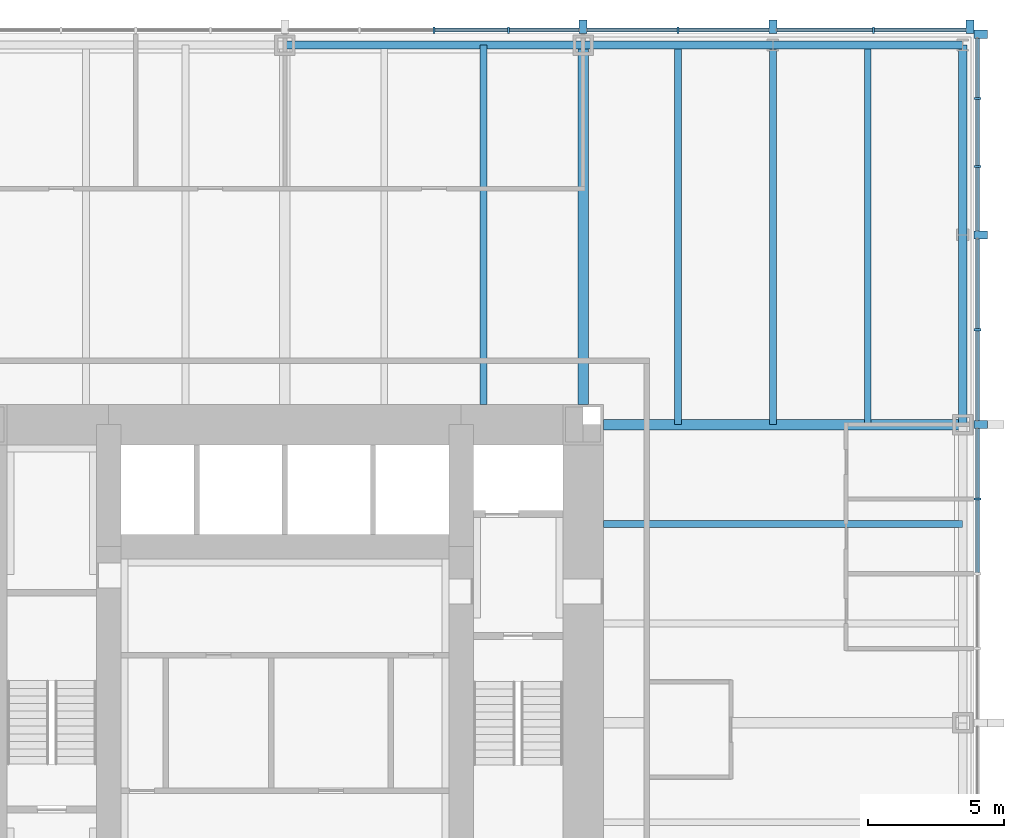
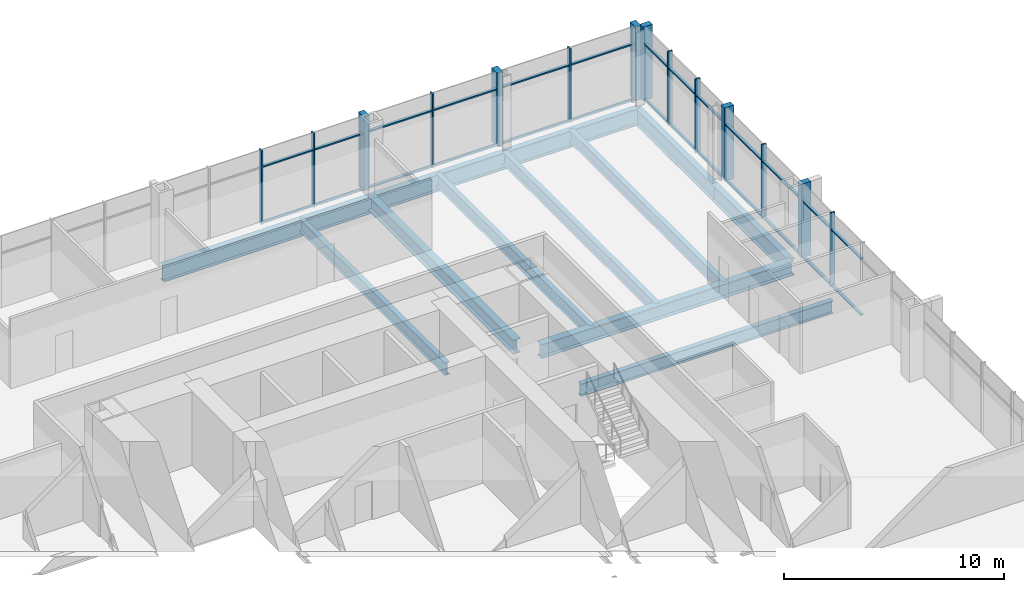
# One storey, part 6 of 12: 40 members, 12 beams, 2 elements without a shape of their own.
"""IFC4 building model written with IfcOpenShell, lengths in metres."""

from ifc_helpers import new_model, si_unit, direction, frame, origin, origin_2d, place, context, subcontext, project, spatial, rectangle, i_section, extrude, material, material_profile, profile_set, type_object, element, aggregate, save


model = new_model("IFC4")

# Units and contexts
model_context = context("Model", 3, precision=1e-05, world=origin(), true_north=direction((0.0, 1.0)))
body_context = subcontext(model_context, "Body", "Model", "MODEL_VIEW")
ifc_project = project(units=[si_unit("LENGTHUNIT", "METRE"), si_unit("AREAUNIT", "SQUARE_METRE"), si_unit("VOLUMEUNIT", "CUBIC_METRE"), si_unit("PLANEANGLEUNIT", "RADIAN"), si_unit("MASSUNIT", "GRAM", prefix="KILO")], contexts=[model_context])

# Site, building, storey
site_placement = place(None, origin())
site = spatial("IfcSite", under=ifc_project, at=site_placement, CompositionType="ELEMENT")
building_placement = place(site_placement, origin())
building = spatial("IfcBuilding", under=site, at=building_placement, Name="Trevanion Tower", CompositionType="ELEMENT")
storey_placement = place(building_placement, frame((0.0, 0.0, 65.199951171875)))
storey = spatial("IfcBuildingStorey", under=building, at=storey_placement, Name="L15", CompositionType="ELEMENT", Elevation=65.199951171875)

# Beams
ifc_material_1 = material(Name="Steel ASTM A992 Grade 50", Category="steel")
ifc_material_profile_1 = material_profile(ifc_material_1, i_section(OverallWidth=0.25390625, OverallDepth=0.700927734375, WebThickness=0.015380859375, FlangeThickness=0.02783203125, at=origin_2d()), Name="W27X129")
ifc_profile_set_1 = profile_set([ifc_material_profile_1], Name="Steel ASTM A992 Grade 50")
beam_type_1 = type_object("IfcBeamType", Name="B3 W27X129", PredefinedType="BEAM", material=ifc_profile_set_1)
for number, where, z_axis, x_axis, name in (
    (1, (11.75, 7.333251953125, -0.54052734375), (1.0, 0.0, 0.0), (0.0, 1.0, 0.0), "B3 L15"),
    (2, (7.333251953125, 11.75, -0.54052734375), (0.0, 1.0, 0.0), (-1.0, 0.0, 0.0), "B3 L15"),
):
    element("IfcBeam", number, at=place(storey_placement, frame(where, z_axis=z_axis, x_axis=x_axis)), inside=storey, type_object=beam_type_1, Name=name, PredefinedType="BEAM", context=body_context, shape_type="SweptSolid", body=[
        extrude(i_section(OverallWidth=0.25390625, OverallDepth=0.700927734375, WebThickness=0.015380859375, FlangeThickness=0.02783203125, at=origin_2d()), origin(), (0.0, 0.0, 1.0), 13.25),
    ])
ifc_material_2 = material(Name="Steel ASTM A992 Grade 50", Category="steel")
ifc_material_profile_2 = material_profile(ifc_material_2, i_section(OverallWidth=0.256591796875, OverallDepth=0.693359375, WebThickness=0.014404296875, FlangeThickness=0.023681640625, at=origin_2d()), Name="W27X114")
ifc_profile_set_2 = profile_set([ifc_material_profile_2], Name="Steel ASTM A992 Grade 50")
beam_type_2 = type_object("IfcBeamType", Name="B4 W27X114", PredefinedType="BEAM", material=ifc_profile_set_2)
for number, where, z_axis, x_axis, name in (
    (3, (14.5, 11.0, -0.53662109375), (0.0, 1.0, 0.0), (-1.0, 0.0, 0.0), "B4 L15"),
    (4, (18.0, 11.0, -0.53662109375), (0.0, 1.0, 0.0), (-1.0, 0.0, 0.0), "B4 L15"),
    (5, (21.5, 11.0, -0.53662109375), (0.0, 1.0, 0.0), (-1.0, 0.0, 0.0), "B4 L15"),
):
    element("IfcBeam", number, at=place(storey_placement, frame(where, z_axis=z_axis, x_axis=x_axis)), inside=storey, type_object=beam_type_2, Name=name, PredefinedType="BEAM", context=body_context, shape_type="SweptSolid", body=[
        extrude(i_section(OverallWidth=0.256591796875, OverallDepth=0.693359375, WebThickness=0.014404296875, FlangeThickness=0.023681640625, at=origin_2d()), origin(), (0.0, 0.0, 1.0), 14.0),
    ])

# Curtain wall, members
ifc_material_3 = material(Name="Aluminium and glass", Category="aluminium")
curtain_wall_type = type_object("IfcCurtainWallType", Name="CW1 curtain wall", PredefinedType="USERDEFINED", material=ifc_material_3)
curtain_wall_1_placement = place(storey_placement, origin())
curtain_wall_1 = element("IfcCurtainWall", 6, at=curtain_wall_1_placement, inside=storey, type_object=curtain_wall_type, Name="CW1 L15 0", ObjectType="UNITISED CURTAIN WALL", PredefinedType="USERDEFINED")
ifc_material_4 = material(Name="Aluminium extrusion, anodised bronze", Category="aluminium")
ifc_material_profile_3 = material_profile(ifc_material_4, rectangle(XDim=0.074951171875, YDim=0.25, at=origin_2d()), Name="CW1 mullion")
ifc_profile_set_3 = profile_set([ifc_material_profile_3], Name="Aluminium extrusion, anodised bronze")
member_type_1 = type_object("IfcMemberType", Name="CW1 mullion", PredefinedType="MULLION", material=ifc_profile_set_3)
member_1_placement = place(storey_placement, frame((25.550048828125, 8.25, -0.18994140625), z_axis=(0.0, 0.0, 1.0), x_axis=(0.0, 1.0, 0.0)))
member_1 = element("IfcMember", 7, at=member_1_placement, type_object=member_type_1, Name="CW1 mullion 12", PredefinedType="MULLION", context=body_context, shape_type="SweptSolid", body=[
    extrude(rectangle(XDim=0.074951171875, YDim=0.25, at=origin_2d()), origin(), (0.0, 0.0, 1.0), 4.10009765625),
])
member_2_placement = place(storey_placement, frame((25.550048828125, 14.5, -0.18994140625), z_axis=(0.0, 0.0, 1.0), x_axis=(0.0, 1.0, 0.0)))
member_2 = element("IfcMember", 8, at=member_2_placement, type_object=member_type_1, Name="CW1 mullion 14", PredefinedType="MULLION", context=body_context, shape_type="SweptSolid", body=[
    extrude(rectangle(XDim=0.074951171875, YDim=0.25, at=origin_2d()), origin(), (0.0, 0.0, 1.0), 4.10009765625),
])
member_3_placement = place(storey_placement, frame((25.550048828125, 20.5166015625, -0.18994140625), z_axis=(0.0, 0.0, 1.0), x_axis=(0.0, 1.0, 0.0)))
member_3 = element("IfcMember", 9, at=member_3_placement, type_object=member_type_1, Name="CW1 mullion 16", PredefinedType="MULLION", context=body_context, shape_type="SweptSolid", body=[
    extrude(rectangle(XDim=0.074951171875, YDim=0.25, at=origin_2d()), origin(), (0.0, 0.0, 1.0), 4.10009765625),
])
member_4_placement = place(storey_placement, frame((25.550048828125, 23.033203125, -0.18994140625), z_axis=(0.0, 0.0, 1.0), x_axis=(0.0, 1.0, 0.0)))
member_4 = element("IfcMember", 10, at=member_4_placement, type_object=member_type_1, Name="CW1 mullion 17", PredefinedType="MULLION", context=body_context, shape_type="SweptSolid", body=[
    extrude(rectangle(XDim=0.074951171875, YDim=0.25, at=origin_2d()), origin(), (0.0, 0.0, 1.0), 4.10009765625),
])

curtain_wall_2_placement = place(storey_placement, origin())
curtain_wall_2 = element("IfcCurtainWall", 11, at=curtain_wall_2_placement, inside=storey, type_object=curtain_wall_type, Name="CW1 L15 1", ObjectType="UNITISED CURTAIN WALL", PredefinedType="USERDEFINED")
member_5_placement = place(storey_placement, frame((21.7099609375, 25.550048828125, -0.18994140625), z_axis=(0.0, 0.0, 1.0), x_axis=(-1.0, 0.0, 0.0)))
member_5 = element("IfcMember", 12, at=member_5_placement, type_object=member_type_1, Name="CW1 mullion 2", PredefinedType="MULLION", context=body_context, shape_type="SweptSolid", body=[
    extrude(rectangle(XDim=0.074951171875, YDim=0.25, at=origin_2d()), origin(), (0.0, 0.0, 1.0), 4.10009765625),
])
member_6_placement = place(storey_placement, frame((14.5, 25.550048828125, -0.18994140625), z_axis=(0.0, 0.0, 1.0), x_axis=(-1.0, 0.0, 0.0)))
member_6 = element("IfcMember", 13, at=member_6_placement, type_object=member_type_1, Name="CW1 mullion 4", PredefinedType="MULLION", context=body_context, shape_type="SweptSolid", body=[
    extrude(rectangle(XDim=0.074951171875, YDim=0.25, at=origin_2d()), origin(), (0.0, 0.0, 1.0), 4.10009765625),
])
member_7_placement = place(storey_placement, frame((8.25, 25.550048828125, -0.18994140625), z_axis=(0.0, 0.0, 1.0), x_axis=(-1.0, 0.0, 0.0)))
member_7 = element("IfcMember", 14, at=member_7_placement, type_object=member_type_1, Name="CW1 mullion 6", PredefinedType="MULLION", context=body_context, shape_type="SweptSolid", body=[
    extrude(rectangle(XDim=0.074951171875, YDim=0.25, at=origin_2d()), origin(), (0.0, 0.0, 1.0), 4.10009765625),
])
member_8_placement = place(storey_placement, frame((5.5, 25.550048828125, -0.18994140625), z_axis=(0.0, 0.0, 1.0), x_axis=(-1.0, 0.0, 0.0)))
member_8 = element("IfcMember", 15, at=member_8_placement, type_object=member_type_1, Name="CW1 mullion 7", PredefinedType="MULLION", context=body_context, shape_type="SweptSolid", body=[
    extrude(rectangle(XDim=0.074951171875, YDim=0.25, at=origin_2d()), origin(), (0.0, 0.0, 1.0), 4.10009765625),
])

# Member
ifc_material_5 = material(Name="Aluminium extrusion, anodised bronze", Category="aluminium")
ifc_material_profile_4 = material_profile(ifc_material_5, rectangle(XDim=0.300048828125, YDim=0.5, at=origin_2d()), Name="CW1 pier mullion")
ifc_profile_set_4 = profile_set([ifc_material_profile_4], Name="Aluminium extrusion, anodised bronze")
member_type_2 = type_object("IfcMemberType", Name="CW1 pier mullion", PredefinedType="MULLION", material=ifc_profile_set_4)
member_9_placement = place(storey_placement, frame((25.675048828125, 11.0, -0.18994140625), z_axis=(0.0, 0.0, 1.0), x_axis=(0.0, 1.0, 0.0)))
member_9 = element("IfcMember", 16, at=member_9_placement, type_object=member_type_2, Name="CW1 pier mullion 13", PredefinedType="MULLION", context=body_context, shape_type="SweptSolid", body=[
    extrude(rectangle(XDim=0.300048828125, YDim=0.5, at=origin_2d()), origin(), (0.0, 0.0, 1.0), 4.10009765625),
])

member_10_placement = place(storey_placement, frame((25.675048828125, 18.0, -0.18994140625), z_axis=(0.0, 0.0, 1.0), x_axis=(0.0, 1.0, 0.0)))
member_10 = element("IfcMember", 17, at=member_10_placement, type_object=member_type_2, Name="CW1 pier mullion 15", PredefinedType="MULLION", context=body_context, shape_type="SweptSolid", body=[
    extrude(rectangle(XDim=0.300048828125, YDim=0.5, at=origin_2d()), origin(), (0.0, 0.0, 1.0), 4.10009765625),
])

member_11_placement = place(storey_placement, frame((25.675048828125, 25.39990234375, -0.18994140625), z_axis=(0.0, 0.0, 1.0), x_axis=(0.0, 1.0, 0.0)))
member_11 = element("IfcMember", 18, at=member_11_placement, type_object=member_type_2, Name="CW1 pier mullion 18", PredefinedType="MULLION", context=body_context, shape_type="SweptSolid", body=[
    extrude(rectangle(XDim=0.300048828125, YDim=0.5, at=origin_2d()), origin(), (0.0, 0.0, 1.0), 4.10009765625),
])

member_12_placement = place(storey_placement, frame((25.27001953125, 25.675048828125, -0.18994140625), z_axis=(0.0, 0.0, 1.0), x_axis=(-1.0, 0.0, 0.0)))
member_12 = element("IfcMember", 19, at=member_12_placement, type_object=member_type_2, Name="CW1 pier mullion 1", PredefinedType="MULLION", context=body_context, shape_type="SweptSolid", body=[
    extrude(rectangle(XDim=0.300048828125, YDim=0.5, at=origin_2d()), origin(), (0.0, 0.0, 1.0), 4.10009765625),
])

member_13_placement = place(storey_placement, frame((18.0, 25.675048828125, -0.18994140625), z_axis=(0.0, 0.0, 1.0), x_axis=(-1.0, 0.0, 0.0)))
member_13 = element("IfcMember", 20, at=member_13_placement, type_object=member_type_2, Name="CW1 pier mullion 3", PredefinedType="MULLION", context=body_context, shape_type="SweptSolid", body=[
    extrude(rectangle(XDim=0.300048828125, YDim=0.5, at=origin_2d()), origin(), (0.0, 0.0, 1.0), 4.10009765625),
])

member_14_placement = place(storey_placement, frame((11.0, 25.675048828125, -0.18994140625), z_axis=(0.0, 0.0, 1.0), x_axis=(-1.0, 0.0, 0.0)))
member_14 = element("IfcMember", 21, at=member_14_placement, type_object=member_type_2, Name="CW1 pier mullion 5", PredefinedType="MULLION", context=body_context, shape_type="SweptSolid", body=[
    extrude(rectangle(XDim=0.300048828125, YDim=0.5, at=origin_2d()), origin(), (0.0, 0.0, 1.0), 4.10009765625),
])

ifc_material_6 = material(Name="Aluminium extrusion, anodised bronze", Category="aluminium")
ifc_material_profile_5 = material_profile(ifc_material_6, rectangle(XDim=0.14990234375, YDim=0.074951171875, at=origin_2d()), Name="CW1 transom")
ifc_profile_set_5 = profile_set([ifc_material_profile_5], Name="Aluminium extrusion, anodised bronze")
member_type_3 = type_object("IfcMemberType", Name="CW1 transom", PredefinedType="USERDEFINED", material=ifc_profile_set_5)
member_15_placement = place(storey_placement, frame((25.550048828125, 5.53759765625, -0.15234375), z_axis=(0.0, 1.0, 0.0), x_axis=(-1.0, 0.0, 0.0)))
member_15 = element("IfcMember", 22, at=member_15_placement, type_object=member_type_3, Name="CW1 transom 11.1", ObjectType="TRANSOM", PredefinedType="USERDEFINED", context=body_context, shape_type="SweptSolid", body=[
    extrude(rectangle(XDim=0.14990234375, YDim=0.074951171875, at=origin_2d()), origin(), (0.0, 0.0, 1.0), 2.6748046875),
])

member_16_placement = place(storey_placement, frame((25.550048828125, 5.53759765625, 2.9599609375), z_axis=(0.0, 1.0, 0.0), x_axis=(-1.0, 0.0, 0.0)))
member_16 = element("IfcMember", 23, at=member_16_placement, type_object=member_type_3, Name="CW1 transom 11.2", ObjectType="TRANSOM", PredefinedType="USERDEFINED", context=body_context, shape_type="SweptSolid", body=[
    extrude(rectangle(XDim=0.14990234375, YDim=0.074951171875, at=origin_2d()), origin(), (0.0, 0.0, 1.0), 2.6748046875),
])

member_17_placement = place(storey_placement, frame((25.550048828125, 8.28759765625, -0.15234375), z_axis=(0.0, 1.0, 0.0), x_axis=(-1.0, 0.0, 0.0)))
member_17 = element("IfcMember", 24, at=member_17_placement, type_object=member_type_3, Name="CW1 transom 12.1", ObjectType="TRANSOM", PredefinedType="USERDEFINED", context=body_context, shape_type="SweptSolid", body=[
    extrude(rectangle(XDim=0.14990234375, YDim=0.074951171875, at=origin_2d()), origin(), (0.0, 0.0, 1.0), 2.5625),
])

member_18_placement = place(storey_placement, frame((25.550048828125, 8.28759765625, 2.9599609375), z_axis=(0.0, 1.0, 0.0), x_axis=(-1.0, 0.0, 0.0)))
member_18 = element("IfcMember", 25, at=member_18_placement, type_object=member_type_3, Name="CW1 transom 12.2", ObjectType="TRANSOM", PredefinedType="USERDEFINED", context=body_context, shape_type="SweptSolid", body=[
    extrude(rectangle(XDim=0.14990234375, YDim=0.074951171875, at=origin_2d()), origin(), (0.0, 0.0, 1.0), 2.5625),
])

member_19_placement = place(storey_placement, frame((25.550048828125, 11.14990234375, -0.15234375), z_axis=(0.0, 1.0, 0.0), x_axis=(-1.0, 0.0, 0.0)))
member_19 = element("IfcMember", 26, at=member_19_placement, type_object=member_type_3, Name="CW1 transom 13.1", ObjectType="TRANSOM", PredefinedType="USERDEFINED", context=body_context, shape_type="SweptSolid", body=[
    extrude(rectangle(XDim=0.14990234375, YDim=0.074951171875, at=origin_2d()), origin(), (0.0, 0.0, 1.0), 3.3125),
])

member_20_placement = place(storey_placement, frame((25.550048828125, 11.14990234375, 2.9599609375), z_axis=(0.0, 1.0, 0.0), x_axis=(-1.0, 0.0, 0.0)))
member_20 = element("IfcMember", 27, at=member_20_placement, type_object=member_type_3, Name="CW1 transom 13.2", ObjectType="TRANSOM", PredefinedType="USERDEFINED", context=body_context, shape_type="SweptSolid", body=[
    extrude(rectangle(XDim=0.14990234375, YDim=0.074951171875, at=origin_2d()), origin(), (0.0, 0.0, 1.0), 3.3125),
])

member_21_placement = place(storey_placement, frame((25.550048828125, 14.53759765625, -0.15234375), z_axis=(0.0, 1.0, 0.0), x_axis=(-1.0, 0.0, 0.0)))
member_21 = element("IfcMember", 28, at=member_21_placement, type_object=member_type_3, Name="CW1 transom 14.1", ObjectType="TRANSOM", PredefinedType="USERDEFINED", context=body_context, shape_type="SweptSolid", body=[
    extrude(rectangle(XDim=0.14990234375, YDim=0.074951171875, at=origin_2d()), origin(), (0.0, 0.0, 1.0), 3.3125),
])

member_22_placement = place(storey_placement, frame((25.550048828125, 14.53759765625, 2.9599609375), z_axis=(0.0, 1.0, 0.0), x_axis=(-1.0, 0.0, 0.0)))
member_22 = element("IfcMember", 29, at=member_22_placement, type_object=member_type_3, Name="CW1 transom 14.2", ObjectType="TRANSOM", PredefinedType="USERDEFINED", context=body_context, shape_type="SweptSolid", body=[
    extrude(rectangle(XDim=0.14990234375, YDim=0.074951171875, at=origin_2d()), origin(), (0.0, 0.0, 1.0), 3.3125),
])

member_23_placement = place(storey_placement, frame((25.550048828125, 18.14990234375, -0.15234375), z_axis=(0.0, 1.0, 0.0), x_axis=(-1.0, 0.0, 0.0)))
member_23 = element("IfcMember", 30, at=member_23_placement, type_object=member_type_3, Name="CW1 transom 15.1", ObjectType="TRANSOM", PredefinedType="USERDEFINED", context=body_context, shape_type="SweptSolid", body=[
    extrude(rectangle(XDim=0.14990234375, YDim=0.074951171875, at=origin_2d()), origin(), (0.0, 0.0, 1.0), 2.329345703125),
])

member_24_placement = place(storey_placement, frame((25.550048828125, 18.14990234375, 2.9599609375), z_axis=(0.0, 1.0, 0.0), x_axis=(-1.0, 0.0, 0.0)))
member_24 = element("IfcMember", 31, at=member_24_placement, type_object=member_type_3, Name="CW1 transom 15.2", ObjectType="TRANSOM", PredefinedType="USERDEFINED", context=body_context, shape_type="SweptSolid", body=[
    extrude(rectangle(XDim=0.14990234375, YDim=0.074951171875, at=origin_2d()), origin(), (0.0, 0.0, 1.0), 2.329345703125),
])

member_25_placement = place(storey_placement, frame((25.550048828125, 20.55419921875, -0.15234375), z_axis=(0.0, 1.0, 0.0), x_axis=(-1.0, 0.0, 0.0)))
member_25 = element("IfcMember", 32, at=member_25_placement, type_object=member_type_3, Name="CW1 transom 16.1", ObjectType="TRANSOM", PredefinedType="USERDEFINED", context=body_context, shape_type="SweptSolid", body=[
    extrude(rectangle(XDim=0.14990234375, YDim=0.074951171875, at=origin_2d()), origin(), (0.0, 0.0, 1.0), 2.441650390625),
])

member_26_placement = place(storey_placement, frame((25.550048828125, 20.55419921875, 2.9599609375), z_axis=(0.0, 1.0, 0.0), x_axis=(-1.0, 0.0, 0.0)))
member_26 = element("IfcMember", 33, at=member_26_placement, type_object=member_type_3, Name="CW1 transom 16.2", ObjectType="TRANSOM", PredefinedType="USERDEFINED", context=body_context, shape_type="SweptSolid", body=[
    extrude(rectangle(XDim=0.14990234375, YDim=0.074951171875, at=origin_2d()), origin(), (0.0, 0.0, 1.0), 2.441650390625),
])

member_27_placement = place(storey_placement, frame((25.550048828125, 23.07080078125, -0.15234375), z_axis=(0.0, 1.0, 0.0), x_axis=(-1.0, 0.0, 0.0)))
member_27 = element("IfcMember", 34, at=member_27_placement, type_object=member_type_3, Name="CW1 transom 17.1", ObjectType="TRANSOM", PredefinedType="USERDEFINED", context=body_context, shape_type="SweptSolid", body=[
    extrude(rectangle(XDim=0.14990234375, YDim=0.074951171875, at=origin_2d()), origin(), (0.0, 0.0, 1.0), 2.17919921875),
])

member_28_placement = place(storey_placement, frame((25.550048828125, 23.07080078125, 2.9599609375), z_axis=(0.0, 1.0, 0.0), x_axis=(-1.0, 0.0, 0.0)))
member_28 = element("IfcMember", 35, at=member_28_placement, type_object=member_type_3, Name="CW1 transom 17.2", ObjectType="TRANSOM", PredefinedType="USERDEFINED", context=body_context, shape_type="SweptSolid", body=[
    extrude(rectangle(XDim=0.14990234375, YDim=0.074951171875, at=origin_2d()), origin(), (0.0, 0.0, 1.0), 2.17919921875),
])

aggregate(curtain_wall_1, [member_1, member_9, member_2, member_10, member_3, member_4, member_11, member_15, member_16, member_17, member_18, member_19, member_20, member_21, member_22, member_23, member_24, member_25, member_26, member_27, member_28])

member_29_placement = place(storey_placement, frame((25.1201171875, 25.550048828125, -0.15234375), z_axis=(-1.0, 0.0, 0.0), x_axis=(0.0, -1.0, 0.0)))
member_29 = element("IfcMember", 36, at=member_29_placement, type_object=member_type_3, Name="CW1 transom 1.1", ObjectType="TRANSOM", PredefinedType="USERDEFINED", context=body_context, shape_type="SweptSolid", body=[
    extrude(rectangle(XDim=0.14990234375, YDim=0.074951171875, at=origin_2d()), origin(), (0.0, 0.0, 1.0), 3.37255859375),
])

member_30_placement = place(storey_placement, frame((25.1201171875, 25.550048828125, 2.9599609375), z_axis=(-1.0, 0.0, 0.0), x_axis=(0.0, -1.0, 0.0)))
member_30 = element("IfcMember", 37, at=member_30_placement, type_object=member_type_3, Name="CW1 transom 1.2", ObjectType="TRANSOM", PredefinedType="USERDEFINED", context=body_context, shape_type="SweptSolid", body=[
    extrude(rectangle(XDim=0.14990234375, YDim=0.074951171875, at=origin_2d()), origin(), (0.0, 0.0, 1.0), 3.37255859375),
])

member_31_placement = place(storey_placement, frame((21.672607421875, 25.550048828125, -0.15234375), z_axis=(-1.0, 0.0, 0.0), x_axis=(0.0, -1.0, 0.0)))
member_31 = element("IfcMember", 38, at=member_31_placement, type_object=member_type_3, Name="CW1 transom 2.1", ObjectType="TRANSOM", PredefinedType="USERDEFINED", context=body_context, shape_type="SweptSolid", body=[
    extrude(rectangle(XDim=0.14990234375, YDim=0.074951171875, at=origin_2d()), origin(), (0.0, 0.0, 1.0), 3.522705078125),
])

member_32_placement = place(storey_placement, frame((21.672607421875, 25.550048828125, 2.9599609375), z_axis=(-1.0, 0.0, 0.0), x_axis=(0.0, -1.0, 0.0)))
member_32 = element("IfcMember", 39, at=member_32_placement, type_object=member_type_3, Name="CW1 transom 2.2", ObjectType="TRANSOM", PredefinedType="USERDEFINED", context=body_context, shape_type="SweptSolid", body=[
    extrude(rectangle(XDim=0.14990234375, YDim=0.074951171875, at=origin_2d()), origin(), (0.0, 0.0, 1.0), 3.522705078125),
])

member_33_placement = place(storey_placement, frame((17.85009765625, 25.550048828125, -0.15234375), z_axis=(-1.0, 0.0, 0.0), x_axis=(0.0, -1.0, 0.0)))
member_33 = element("IfcMember", 40, at=member_33_placement, type_object=member_type_3, Name="CW1 transom 3.1", ObjectType="TRANSOM", PredefinedType="USERDEFINED", context=body_context, shape_type="SweptSolid", body=[
    extrude(rectangle(XDim=0.14990234375, YDim=0.074951171875, at=origin_2d()), origin(), (0.0, 0.0, 1.0), 3.3125),
])

member_34_placement = place(storey_placement, frame((17.85009765625, 25.550048828125, 2.9599609375), z_axis=(-1.0, 0.0, 0.0), x_axis=(0.0, -1.0, 0.0)))
member_34 = element("IfcMember", 41, at=member_34_placement, type_object=member_type_3, Name="CW1 transom 3.2", ObjectType="TRANSOM", PredefinedType="USERDEFINED", context=body_context, shape_type="SweptSolid", body=[
    extrude(rectangle(XDim=0.14990234375, YDim=0.074951171875, at=origin_2d()), origin(), (0.0, 0.0, 1.0), 3.3125),
])

member_35_placement = place(storey_placement, frame((14.46240234375, 25.550048828125, -0.15234375), z_axis=(-1.0, 0.0, 0.0), x_axis=(0.0, -1.0, 0.0)))
member_35 = element("IfcMember", 42, at=member_35_placement, type_object=member_type_3, Name="CW1 transom 4.1", ObjectType="TRANSOM", PredefinedType="USERDEFINED", context=body_context, shape_type="SweptSolid", body=[
    extrude(rectangle(XDim=0.14990234375, YDim=0.074951171875, at=origin_2d()), origin(), (0.0, 0.0, 1.0), 3.3125),
])

member_36_placement = place(storey_placement, frame((14.46240234375, 25.550048828125, 2.9599609375), z_axis=(-1.0, 0.0, 0.0), x_axis=(0.0, -1.0, 0.0)))
member_36 = element("IfcMember", 43, at=member_36_placement, type_object=member_type_3, Name="CW1 transom 4.2", ObjectType="TRANSOM", PredefinedType="USERDEFINED", context=body_context, shape_type="SweptSolid", body=[
    extrude(rectangle(XDim=0.14990234375, YDim=0.074951171875, at=origin_2d()), origin(), (0.0, 0.0, 1.0), 3.3125),
])

member_37_placement = place(storey_placement, frame((10.85009765625, 25.550048828125, -0.15234375), z_axis=(-1.0, 0.0, 0.0), x_axis=(0.0, -1.0, 0.0)))
member_37 = element("IfcMember", 44, at=member_37_placement, type_object=member_type_3, Name="CW1 transom 5.1", ObjectType="TRANSOM", PredefinedType="USERDEFINED", context=body_context, shape_type="SweptSolid", body=[
    extrude(rectangle(XDim=0.14990234375, YDim=0.074951171875, at=origin_2d()), origin(), (0.0, 0.0, 1.0), 2.5625),
])

member_38_placement = place(storey_placement, frame((10.85009765625, 25.550048828125, 2.9599609375), z_axis=(-1.0, 0.0, 0.0), x_axis=(0.0, -1.0, 0.0)))
member_38 = element("IfcMember", 45, at=member_38_placement, type_object=member_type_3, Name="CW1 transom 5.2", ObjectType="TRANSOM", PredefinedType="USERDEFINED", context=body_context, shape_type="SweptSolid", body=[
    extrude(rectangle(XDim=0.14990234375, YDim=0.074951171875, at=origin_2d()), origin(), (0.0, 0.0, 1.0), 2.5625),
])

member_39_placement = place(storey_placement, frame((8.21240234375, 25.550048828125, -0.15234375), z_axis=(-1.0, 0.0, 0.0), x_axis=(0.0, -1.0, 0.0)))
member_39 = element("IfcMember", 46, at=member_39_placement, type_object=member_type_3, Name="CW1 transom 6.1", ObjectType="TRANSOM", PredefinedType="USERDEFINED", context=body_context, shape_type="SweptSolid", body=[
    extrude(rectangle(XDim=0.14990234375, YDim=0.074951171875, at=origin_2d()), origin(), (0.0, 0.0, 1.0), 2.6748046875),
])

member_40_placement = place(storey_placement, frame((8.21240234375, 25.550048828125, 2.9599609375), z_axis=(-1.0, 0.0, 0.0), x_axis=(0.0, -1.0, 0.0)))
member_40 = element("IfcMember", 47, at=member_40_placement, type_object=member_type_3, Name="CW1 transom 6.2", ObjectType="TRANSOM", PredefinedType="USERDEFINED", context=body_context, shape_type="SweptSolid", body=[
    extrude(rectangle(XDim=0.14990234375, YDim=0.074951171875, at=origin_2d()), origin(), (0.0, 0.0, 1.0), 2.6748046875),
])

aggregate(curtain_wall_2, [member_12, member_5, member_13, member_6, member_14, member_7, member_8, member_29, member_30, member_31, member_32, member_33, member_34, member_35, member_36, member_37, member_38, member_39, member_40])

# Beams
ifc_material_7 = material(Name="Steel ASTM A992 Grade 50", Category="steel")
ifc_material_profile_6 = material_profile(ifc_material_7, i_section(OverallWidth=0.381103515625, OverallDepth=0.77978515625, WebThickness=0.01806640625, FlangeThickness=0.0302734375, at=origin_2d()), Name="W30X191")
ifc_profile_set_6 = profile_set([ifc_material_profile_6], Name="Steel ASTM A992 Grade 50")
beam_type_3 = type_object("IfcBeamType", Name="G2 W30X191", PredefinedType="BEAM", material=ifc_profile_set_6)
for number, where, z_axis, x_axis, name in (
    (48, (11.75, 11.0, -0.579833984375), (1.0, 0.0, 0.0), (0.0, 1.0, 0.0), "G2 L15"),
    (49, (11.0, 11.75, -0.579833984375), (0.0, 1.0, 0.0), (-1.0, 0.0, 0.0), "G2 L15"),
):
    element("IfcBeam", number, at=place(storey_placement, frame(where, z_axis=z_axis, x_axis=x_axis)), inside=storey, type_object=beam_type_3, Name=name, PredefinedType="BEAM", context=body_context, shape_type="SweptSolid", body=[
        extrude(i_section(OverallWidth=0.381103515625, OverallDepth=0.77978515625, WebThickness=0.01806640625, FlangeThickness=0.0302734375, at=origin_2d()), origin(), (0.0, 0.0, 1.0), 13.25),
    ])
ifc_material_8 = material(Name="Steel ASTM A992 Grade 50", Category="steel")
ifc_material_profile_7 = material_profile(ifc_material_8, i_section(OverallWidth=0.307373046875, OverallDepth=0.927001953125, WebThickness=0.01953125, FlangeThickness=0.031982421875, at=origin_2d()), Name="W36X194")
ifc_profile_set_7 = profile_set([ifc_material_profile_7], Name="Steel ASTM A992 Grade 50")
beam_type_4 = type_object("IfcBeamType", Name="SB2 W36X194", PredefinedType="SPANDREL", material=ifc_profile_set_7)
for number, where, z_axis, x_axis, name in (
    (50, (25.0, 11.0, -0.653564453125), (0.0, 1.0, 0.0), (-1.0, 0.0, 0.0), "SB2 L15"),
    (51, (25.0, 18.0, -0.653564453125), (0.0, 1.0, 0.0), (-1.0, 0.0, 0.0), "SB2 L15"),
    (52, (25.0, 25.0, -0.653564453125), (-1.0, 0.0, 0.0), (0.0, -1.0, 0.0), "SB2 L15"),
    (53, (18.0, 25.0, -0.653564453125), (-1.0, 0.0, 0.0), (0.0, -1.0, 0.0), "SB2 L15"),
):
    element("IfcBeam", number, at=place(storey_placement, frame(where, z_axis=z_axis, x_axis=x_axis)), inside=storey, type_object=beam_type_4, Name=name, PredefinedType="SPANDREL", context=body_context, shape_type="SweptSolid", body=[
        extrude(i_section(OverallWidth=0.307373046875, OverallDepth=0.927001953125, WebThickness=0.01953125, FlangeThickness=0.031982421875, at=origin_2d()), origin(), (0.0, 0.0, 1.0), 7.0),
    ])
beam_placement = place(storey_placement, frame((11.0, 25.0, -0.653564453125), z_axis=(-1.0, 0.0, 0.0), x_axis=(0.0, -1.0, 0.0)))
element("IfcBeam", 54, at=beam_placement, inside=storey, type_object=beam_type_4, Name="SB2 L15", PredefinedType="SPANDREL", context=body_context, shape_type="SweptSolid", body=[
    extrude(i_section(OverallWidth=0.307373046875, OverallDepth=0.927001953125, WebThickness=0.01953125, FlangeThickness=0.031982421875, at=origin_2d()), origin(), (0.0, 0.0, 1.0), 11.0),
])

save(model, "model.ifc")
